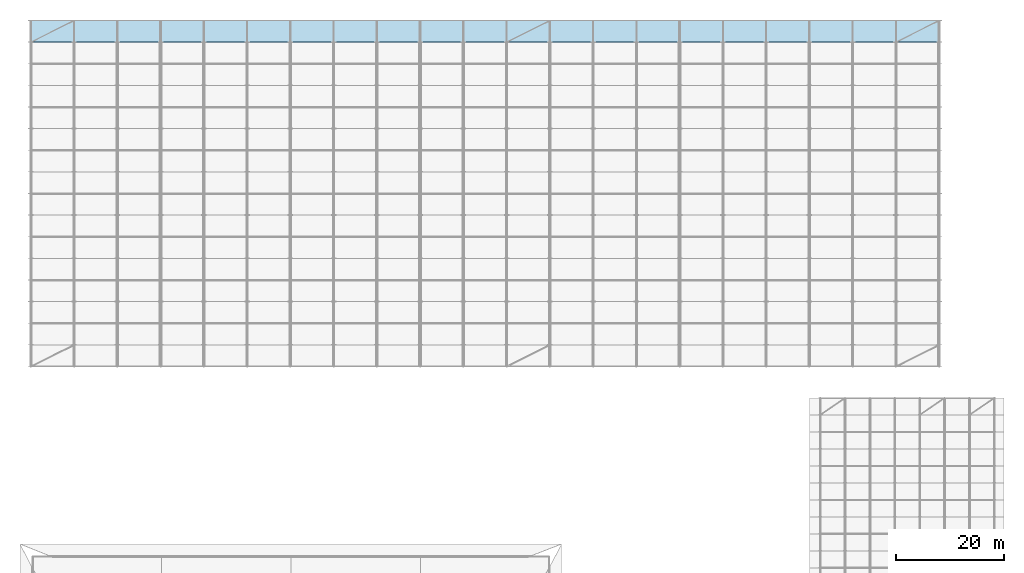
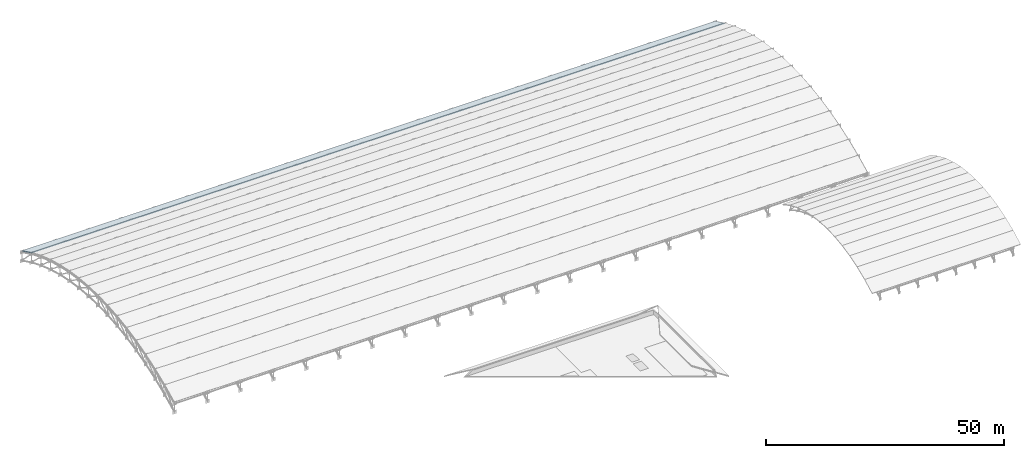
# One storey, part 92 of 98: 1 slab.
"""IFC4 building model written with IfcOpenShell, lengths in metres."""

from ifc_helpers import new_model, si_unit, direction, frame, origin, place, context, subcontext, project, spatial, polyline, outline, extrude, material, layer, layer_set, type_object, element, save


model = new_model("IFC4")

# Units and contexts
model_context = context("Model", 3, precision=1e-05, world=origin(), true_north=direction((0.0, 1.0)))
body_context = subcontext(model_context, "Body", "Model", "MODEL_VIEW")
ifc_project = project(units=[si_unit("LENGTHUNIT", "METRE"), si_unit("AREAUNIT", "SQUARE_METRE"), si_unit("VOLUMEUNIT", "CUBIC_METRE"), si_unit("PLANEANGLEUNIT", "RADIAN"), si_unit("MASSUNIT", "GRAM", prefix="KILO")], contexts=[model_context])

# Site, building, storey
site_placement = place(None, origin())
site = spatial("IfcSite", under=ifc_project, at=site_placement, CompositionType="ELEMENT")
building_placement = place(site_placement, origin())
building = spatial("IfcBuilding", under=site, at=building_placement, Name="Tlacozan Convention Centre", CompositionType="ELEMENT")
storey_placement = place(building_placement, frame((0.0, 0.0, 25.800048828125)))
storey = spatial("IfcBuildingStorey", under=building, at=storey_placement, Name="Roof", CompositionType="ELEMENT", Elevation=25.800048828125)

# Slab
ifc_material = material(Name="Concrete C40/50", Category="concrete")
ifc_layer = layer(ifc_material, 0.179931640625)
ifc_layer_set = layer_set([ifc_layer], Name="Concrete C40/50")
slab_type = type_object("IfcSlabType", Name="Exhibition Arched Roof Deck 180", PredefinedType="ROOF", material=ifc_layer_set)
slab_placement = place(storey_placement, frame((0.0, 122.0, -8.322265625), z_axis=(0.0, 0.441420866459, 0.897300183135), x_axis=(1.0, 0.0, 0.0)))
element("IfcSlab", 1, at=slab_placement, inside=storey, type_object=slab_type, Name="V2A Arched Roof Facet Slab 16", PredefinedType="ROOF", context=body_context, shape_type="SweptSolid", body=[
    extrude(outline(polyline([(0.0, 0.0), (168.0, 0.0), (168.0, 4.457816988317328), (0.0, 4.457816988317328), (0.0, 0.0)])), origin(), (0.0, 0.0, -1.0), 0.179931640625),
])

save(model, "model.ifc")
